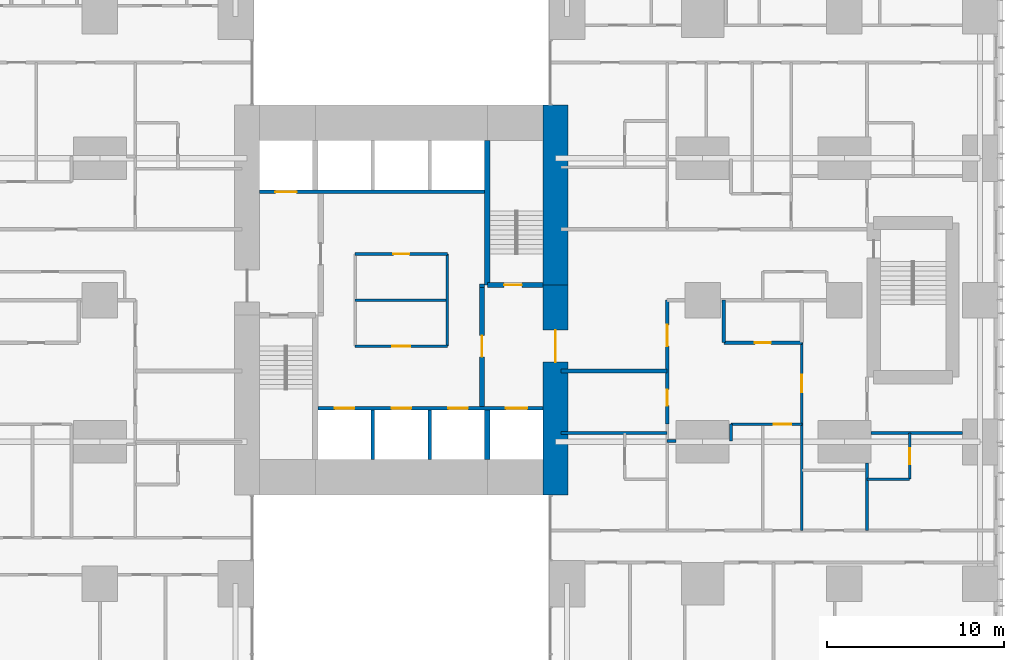
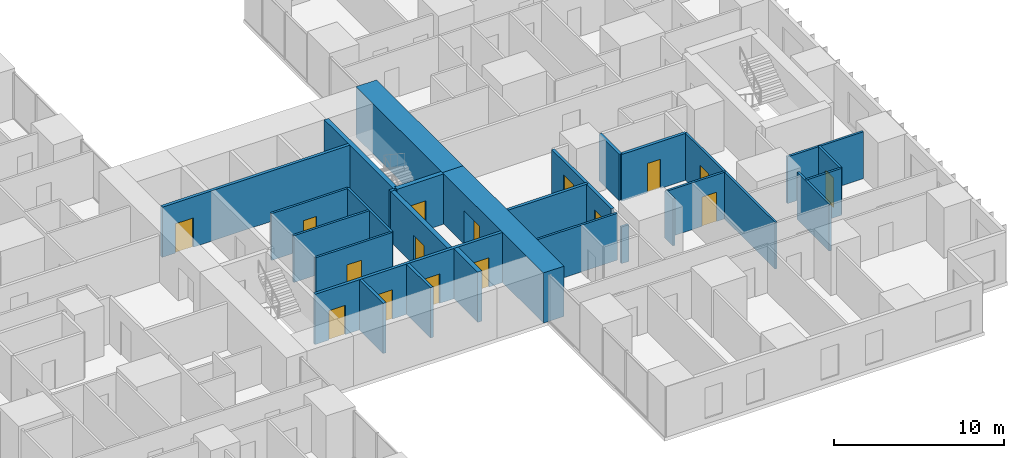
# One storey, part 15 of 20: 28 walls, 16 doors, 16 openings.
"""IFC4 building model written with IfcOpenShell, lengths in metres."""

import ifcopenshell
import ifcopenshell.guid

model = None  # the IFC model being written
_history = None  # IfcOwnerHistory: only IFC2X3 demands one
_inside = {}  # id of a spatial element -> (the spatial element, [elements in it])
_under = {}  # id of a project, library or spatial element -> (it, [spatial elements below it])
_declared = {}  # id of a project -> (the project, [libraries it declares])
_typed = {}  # id of a type object -> (the type object, [elements of that type])
_made_of = {}  # id of a material, layer set ... -> (it, [elements and type objects made of it])


def new_model(schema):
    """Start an empty IFC model of exactly this schema.

    Asked for "IFC4X3", IfcOpenShell would pick the latest addendum, in which some entities
    have other attributes; the version numbers below select the first issue.
    IFC2X3 requires an IfcOwnerHistory on every rooted entity: one is made here for all.
    """
    global model, _history
    if schema == "IFC4X3":
        model = ifcopenshell.file(schema_version=(4, 3, 0, 0))
    else:
        model = ifcopenshell.file(schema=schema)
    _inside.clear()
    _under.clear()
    _declared.clear()
    _typed.clear()
    _made_of.clear()
    _history = None
    if model.schema == "IFC2X3":
        org = make("IfcOrganization", Name="unknown")
        user = make(
            "IfcPersonAndOrganization",
            ThePerson=make("IfcPerson", FamilyName="unknown"),
            TheOrganization=org,
        )
        app = make(
            "IfcApplication",
            ApplicationDeveloper=org,
            Version="unknown",
            ApplicationFullName="unknown",
            ApplicationIdentifier="unknown",
        )
        _history = make(
            "IfcOwnerHistory",
            OwningUser=user,
            OwningApplication=app,
            ChangeAction="ADDED",
            CreationDate=0,
        )
    return model


def make(cls, **values):
    """One entity of the class cls with the attributes given. An attribute that is None is left unset."""
    return model.create_entity(
        cls, **{name: value for name, value in values.items() if value is not None}
    )


def rooted(cls, **values):
    """An entity with a GlobalId (a new one), such as an element, a storey or a relation."""
    return make(cls, GlobalId=ifcopenshell.guid.new(), OwnerHistory=_history, **values)


def si_unit(unit_type, name, prefix=None):
    """IfcSIUnit, for example si_unit("LENGTHUNIT", "METRE", prefix="MILLI")."""
    return make("IfcSIUnit", UnitType=unit_type, Prefix=prefix, Name=name)


def assignment(units):
    """IfcUnitAssignment: the units of a project."""
    return None if units is None else make("IfcUnitAssignment", Units=units)


def point(xyz):
    """IfcCartesianPoint."""
    return None if xyz is None else make("IfcCartesianPoint", Coordinates=xyz)


def direction(xyz):
    """IfcDirection."""
    return None if xyz is None else make("IfcDirection", DirectionRatios=xyz)


def frame(location, z_axis=None, x_axis=None):
    """IfcAxis2Placement3D, a coordinate frame: its origin and axes. An axis left out is left unset."""
    return make(
        "IfcAxis2Placement3D",
        Location=point(location),
        Axis=direction(z_axis),
        RefDirection=direction(x_axis),
    )


def frame_2d(location, x_axis=None):
    """IfcAxis2Placement2D, a coordinate frame in the plane: its origin and x axis."""
    return make(
        "IfcAxis2Placement2D", Location=point(location), RefDirection=direction(x_axis)
    )


def origin():
    """The frame at (0, 0, 0) with its axes left unset."""
    return frame((0.0, 0.0, 0.0))


def place(relative_to, where):
    """IfcLocalPlacement: puts the frame where relative to a parent placement (None: the world)."""
    return make(
        "IfcLocalPlacement", PlacementRelTo=relative_to, RelativePlacement=where
    )


def context(
    kind, dimensions, precision=None, world=None, true_north=None, identifier=None
):
    """IfcGeometricRepresentationContext, for example the 3D "Model" context."""
    return make(
        "IfcGeometricRepresentationContext",
        ContextIdentifier=identifier,
        ContextType=kind,
        CoordinateSpaceDimension=dimensions,
        Precision=precision,
        WorldCoordinateSystem=world,
        TrueNorth=true_north,
    )


def subcontext(parent, identifier, kind, view, scale=None):
    """IfcGeometricRepresentationSubContext, for example "Body" below "Model"."""
    return make(
        "IfcGeometricRepresentationSubContext",
        ContextIdentifier=identifier,
        ContextType=kind,
        ParentContext=parent,
        TargetScale=scale,
        TargetView=view,
    )


def project(units=None, contexts=None):
    """IfcProject with its units and contexts."""
    return rooted(
        "IfcProject",
        Name="project",
        RepresentationContexts=contexts,
        UnitsInContext=assignment(units),
    )


def spatial(cls, under=None, at=None, **own):
    """A site, building, storey or space (cls), placed at a placement, below another one or the project."""
    s = rooted(cls, ObjectPlacement=at, **own)
    if under is not None:
        _under.setdefault(under.id(), (under, []))[1].append(s)
    return s


def profile(cls, at=None, kind="AREA", **sizes):
    """A parametric profile (cls). Its sizes go by their IFC names, for example OverallWidth=200.0."""
    return make(cls, ProfileType=kind, Position=at, **sizes)


def rectangle(**sizes):
    """IfcRectangleProfileDef."""
    return profile("IfcRectangleProfileDef", **sizes)


def extrude(swept, where, along, depth):
    """IfcExtrudedAreaSolid: the profile swept, set in the frame where, extruded along a direction by depth."""
    return make(
        "IfcExtrudedAreaSolid",
        SweptArea=swept,
        Position=where,
        ExtrudedDirection=direction(along),
        Depth=depth,
    )


def shape(context_of_items, identifier, shape_type, items):
    """IfcShapeRepresentation: the items that make up one representation, for example the "Body"."""
    return make(
        "IfcShapeRepresentation",
        ContextOfItems=context_of_items,
        RepresentationIdentifier=identifier,
        RepresentationType=shape_type,
        Items=items,
    )


def material(Name=None, Category=None):
    """IfcMaterial."""
    return make("IfcMaterial", Name=Name, Category=Category)


def layer(
    of_material, thickness, ventilated=None, Name=None, Category=None, Priority=None
):
    """IfcMaterialLayer: one layer of a wall or slab, of a material (None: an air gap)."""
    return make(
        "IfcMaterialLayer",
        Material=of_material,
        LayerThickness=thickness,
        IsVentilated=ventilated,
        Name=Name,
        Category=Category,
        Priority=Priority,
    )


def layer_set(layers, Name=None):
    """IfcMaterialLayerSet."""
    return make("IfcMaterialLayerSet", MaterialLayers=layers, LayerSetName=Name)


def made_of(thing, what):
    """Note that an element or type object is made of a material, layer set ...; save() writes the relation."""
    if what is not None:
        _made_of.setdefault(what.id(), (what, []))[1].append(thing)
    return thing


def type_object(cls, material=None, **own):
    """A type object (cls), such as IfcWallType, which elements share."""
    return made_of(rooted(cls, **own), material)


def element(
    cls,
    number,
    at=None,
    inside=None,
    cuts=None,
    type_object=None,
    material=None,
    context=None,
    identifier="Body",
    shape_type=None,
    held_by="IfcProductDefinitionShape",
    body=None,
    shapes=None,
    **own,
):
    """One element of the class cls, such as IfcWall. Its Tag is "e" and its number.

    at: its placement. inside: the storey or other place that contains it. cuts: it is an
    opening in that element (IfcRelVoidsElement). A single representation is given by context,
    identifier, shape_type and body (its items); several are given by shapes. held_by: the class
    of the entity that holds the representations. save() writes the other relations.
    """
    e = rooted(cls, Tag="e%d" % number, ObjectPlacement=at, **own)
    if body is not None:
        shapes = [shape(context, identifier, shape_type, body)]
    if shapes is not None:
        e.Representation = make(held_by, Representations=shapes)
    if inside is not None:
        _inside.setdefault(inside.id(), (inside, []))[1].append(e)
    if cuts is not None:
        rooted(
            "IfcRelVoidsElement", RelatingBuildingElement=cuts, RelatedOpeningElement=e
        )
    if type_object is not None:
        _typed.setdefault(type_object.id(), (type_object, []))[1].append(e)
    return made_of(e, material)


def fill(opening, filler):
    """IfcRelFillsElement: the door or window that sits in an opening."""
    return rooted(
        "IfcRelFillsElement",
        RelatingOpeningElement=opening,
        RelatedBuildingElement=filler,
    )


def aggregate(whole, parts):
    """IfcRelAggregates: a whole, such as a stair, and the parts it consists of."""
    return rooted("IfcRelAggregates", RelatingObject=whole, RelatedObjects=parts)


def save(model, path):
    """Write the relations noted so far, then the file.

    IfcRelAggregates (storeys below a building ...), IfcRelContainedInSpatialStructure (elements
    in a storey), IfcRelDefinesByType, IfcRelAssociatesMaterial and IfcRelDeclares: one each for
    every whole, place, type object, material and project.
    """
    for whole, parts in _under.values():
        aggregate(whole, parts)
    for where, things in _inside.values():
        rooted(
            "IfcRelContainedInSpatialStructure",
            RelatedElements=things,
            RelatingStructure=where,
        )
    for kind, things in _typed.values():
        rooted("IfcRelDefinesByType", RelatedObjects=things, RelatingType=kind)
    for what, things in _made_of.values():
        rooted("IfcRelAssociatesMaterial", RelatedObjects=things, RelatingMaterial=what)
    for by, libraries in _declared.values():
        rooted("IfcRelDeclares", RelatingContext=by, RelatedDefinitions=libraries)
    model.write(path)


model = new_model("IFC4")

# Units and contexts
model_context = context("Model", 3, precision=1e-05, world=origin(), true_north=direction((0.0, 1.0)))
body_context = subcontext(model_context, "Body", "Model", "MODEL_VIEW")
ifc_project = project(units=[si_unit("LENGTHUNIT", "METRE"), si_unit("AREAUNIT", "SQUARE_METRE"), si_unit("VOLUMEUNIT", "CUBIC_METRE"), si_unit("PLANEANGLEUNIT", "RADIAN"), si_unit("MASSUNIT", "GRAM", prefix="KILO")], contexts=[model_context])

# Site, building, storey
site_placement = place(None, origin())
site = spatial("IfcSite", under=ifc_project, at=site_placement, CompositionType="ELEMENT")
building_placement = place(site_placement, origin())
building = spatial("IfcBuilding", under=site, at=building_placement, Name="Cleftline Residences", CompositionType="ELEMENT")
storey_placement = place(building_placement, frame((0.0, 0.0, 117.800048828125)))
storey = spatial("IfcBuildingStorey", under=building, at=storey_placement, Name="L30", CompositionType="ELEMENT", Elevation=117.800048828125)

# Wall, opening, door
ifc_material_1 = material(Name="Concrete B70", Category="concrete")
ifc_layer_1 = layer(ifc_material_1, 1.39990234375)
ifc_layer_set_1 = layer_set([ifc_layer_1], Name="CORE WALL 1400")
wall_type_1 = type_object("IfcWallType", Name="CORE WALL 1400", PredefinedType="SHEAR", material=ifc_layer_set_1)
wall_1_placement = place(storey_placement, frame((41.699951171875, 13.0, 0.0), z_axis=(0.0, 0.0, 1.0), x_axis=(0.0, 1.0, 0.0)))
wall_1 = element("IfcWall", 1, at=wall_1_placement, inside=storey, type_object=wall_type_1, Name="Core wall E", PredefinedType="SHEAR", context=body_context, shape_type="SweptSolid", body=[
    extrude(rectangle(XDim=11.85009765625, YDim=1.39990234375, at=frame_2d((5.925048828125, 0.0))), origin(), (0.0, 0.0, 1.0), 3.599853515625),
])
opening_1_placement = place(wall_1_placement, frame((7.5, 0.0, 0.0)))
opening_1 = element("IfcOpeningElement", 2, at=opening_1_placement, cuts=wall_1, Name="Opening D7", PredefinedType="OPENING", context=body_context, shape_type="SweptSolid", body=[
    extrude(rectangle(XDim=1.800048828125, YDim=2.39990234375, at=frame_2d((0.89990234375, 1.199951171875))), frame((0.0, 0.7099609375, 0.0), z_axis=(0.0, -1.0, 0.0), x_axis=(1.0, 0.0, 0.0)), (0.0, 0.0, 1.0), 1.419921875),
])
ifc_material_2 = material(Name="Steel", Category="steel")
door_type_1 = type_object("IfcDoorType", Name="WING DOOR 1800X2400", OperationType="DOUBLE_DOOR_DOUBLE_SWING", PredefinedType="DOOR", material=ifc_material_2)
door_1_placement = place(opening_1_placement, origin())
door_1 = element("IfcDoor", 3, at=door_1_placement, inside=storey, type_object=door_type_1, Name="East wing door", OperationType="DOUBLE_DOOR_DOUBLE_SWING", OverallHeight=2.39990234375, OverallWidth=1.800048828125, PredefinedType="DOOR", context=body_context, shape_type="SweptSolid", body=[
    extrude(rectangle(XDim=1.800048828125, YDim=2.39990234375, at=frame_2d((0.89990234375, 1.199951171875))), frame((0.0, 0.02490234375, 0.0), z_axis=(0.0, -1.0, 0.0), x_axis=(1.0, 0.0, 0.0)), (0.0, 0.0, 1.0), 0.050048828125),
])
fill(opening_1, door_1)

# Walls
wall_2_placement = place(storey_placement, frame((41.699951171875, 24.85009765625, 0.0), z_axis=(0.0, 0.0, 1.0), x_axis=(0.0, 1.0, 0.0)))
element("IfcWall", 4, at=wall_2_placement, inside=storey, type_object=wall_type_1, Name="Core wall E1", PredefinedType="SHEAR", context=body_context, shape_type="SweptSolid", body=[
    extrude(rectangle(XDim=10.14990234375, YDim=1.39990234375, at=frame_2d((5.074951171875, 0.0))), origin(), (0.0, 0.0, 1.0), 3.599853515625),
])
ifc_material_3 = material(Name="Concrete B70", Category="concrete")
ifc_layer_2 = layer(ifc_material_3, 0.300048828125)
ifc_layer_set_2 = layer_set([ifc_layer_2], Name="CORE WALL 300")
wall_type_2 = type_object("IfcWallType", Name="CORE WALL 300", PredefinedType="SHEAR", material=ifc_layer_set_2)
wall_3_placement = place(storey_placement, frame((37.85009765625, 24.85009765625, 0.0), z_axis=(0.0, 0.0, 1.0), x_axis=(0.0, 1.0, 0.0)))
element("IfcWall", 5, at=wall_3_placement, inside=storey, type_object=wall_type_2, Name="Core wall SB-W", PredefinedType="SHEAR", context=body_context, shape_type="SweptSolid", body=[
    extrude(rectangle(XDim=8.14990234375, YDim=0.300048828125, at=frame_2d((4.074951171875, 0.0))), origin(), (0.0, 0.0, 1.0), 3.599853515625),
])

# Wall, opening, door
wall_4_placement = place(storey_placement, frame((37.85009765625, 24.85009765625, 0.0), z_axis=(0.0, 0.0, 1.0), x_axis=(1.0, 0.0, 0.0)))
wall_4 = element("IfcWall", 6, at=wall_4_placement, inside=storey, type_object=wall_type_2, Name="Core wall SB-S", PredefinedType="SHEAR", context=body_context, shape_type="SweptSolid", body=[
    extrude(rectangle(XDim=3.14990234375, YDim=0.300048828125, at=frame_2d((1.574951171875, 0.0))), origin(), (0.0, 0.0, 1.0), 3.599853515625),
])
opening_2_placement = place(wall_4_placement, frame((0.949951171875, 0.0, 0.0)))
opening_2 = element("IfcOpeningElement", 7, at=opening_2_placement, cuts=wall_4, Name="Opening D5", PredefinedType="OPENING", context=body_context, shape_type="SweptSolid", body=[
    extrude(rectangle(XDim=1.0, YDim=2.10009765625, at=frame_2d((0.5, 1.050048828125))), frame((0.0, 0.159912109375, 0.0), z_axis=(0.0, -1.0, 0.0), x_axis=(1.0, 0.0, 0.0)), (0.0, 0.0, 1.0), 0.320068359375),
])
ifc_material_4 = material(Name="Steel", Category="steel")
door_type_2 = type_object("IfcDoorType", Name="STAIR DOOR 1000X2100", OperationType="SINGLE_SWING_LEFT", PredefinedType="DOOR", material=ifc_material_4)
door_2_placement = place(opening_2_placement, origin())
door_2 = element("IfcDoor", 8, at=door_2_placement, inside=storey, type_object=door_type_2, Name="Stair B door", OperationType="SINGLE_SWING_RIGHT", OverallHeight=2.10009765625, OverallWidth=1.0, PredefinedType="DOOR", context=body_context, shape_type="SweptSolid", body=[
    extrude(rectangle(XDim=1.0, YDim=2.10009765625, at=frame_2d((0.5, 1.050048828125))), frame((0.0, 0.02490234375, 0.0), z_axis=(0.0, -1.0, 0.0), x_axis=(1.0, 0.0, 0.0)), (0.0, 0.0, 1.0), 0.050048828125),
])
fill(opening_2, door_2)

# Walls
wall_5_placement = place(storey_placement, frame((37.85009765625, 15.0, 0.0), z_axis=(0.0, 0.0, 1.0), x_axis=(0.0, 1.0, 0.0)))
element("IfcWall", 9, at=wall_5_placement, inside=storey, type_object=wall_type_2, Name="Lift shaft wall", PredefinedType="SHEAR", context=body_context, shape_type="SweptSolid", body=[
    extrude(rectangle(XDim=2.800048828125, YDim=0.300048828125, at=frame_2d((1.39990234375, 0.0))), origin(), (0.0, 0.0, 1.0), 3.599853515625),
])
ifc_material_5 = material(Name="Concrete blockwork, fire rated", Category="masonry")
ifc_layer_3 = layer(ifc_material_5, 0.199951171875)
ifc_layer_set_3 = layer_set([ifc_layer_3], Name="FIRE WALL 200")
wall_type_3 = type_object("IfcWallType", Name="FIRE WALL 200", PredefinedType="PARTITIONING", material=ifc_layer_set_3)
wall_6_placement = place(storey_placement, frame((42.0, 20.0, 0.0), z_axis=(0.0, 0.0, 1.0), x_axis=(1.0, 0.0, 0.0)))
element("IfcWall", 10, at=wall_6_placement, inside=storey, type_object=wall_type_3, Name="Fire separating wall", PredefinedType="PARTITIONING", context=body_context, shape_type="SweptSolid", body=[
    extrude(rectangle(XDim=6.0, YDim=0.199951171875, at=frame_2d((3.0, 0.0))), origin(), (0.0, 0.0, 1.0), 3.349853515625),
])

# Wall, opening, door
wall_7_placement = place(storey_placement, frame((51.199951171875, 21.60009765625, 0.0), z_axis=(0.0, 0.0, 1.0), x_axis=(1.0, 0.0, 0.0)))
wall_7 = element("IfcWall", 11, at=wall_7_placement, inside=storey, type_object=wall_type_3, Name="Fire separating wall", PredefinedType="PARTITIONING", context=body_context, shape_type="SweptSolid", body=[
    extrude(rectangle(XDim=4.400146484375, YDim=0.199951171875, at=frame_2d((2.2001953125, 0.0))), origin(), (0.0, 0.0, 1.0), 3.349853515625),
])
opening_3_placement = place(wall_7_placement, frame((1.75, 0.0, 0.0)))
opening_3 = element("IfcOpeningElement", 12, at=opening_3_placement, cuts=wall_7, Name="Opening D1F30", PredefinedType="OPENING", context=body_context, shape_type="SweptSolid", body=[
    extrude(rectangle(XDim=0.89990234375, YDim=2.10009765625, at=frame_2d((0.449951171875, 1.050048828125))), frame((0.0, 0.10986328125, 0.0), z_axis=(0.0, -1.0, 0.0), x_axis=(1.0, 0.0, 0.0)), (0.0, 0.0, 1.0), 0.219970703125),
])
ifc_material_6 = material(Name="Timber veneer on solid core", Category="wood")
door_type_3 = type_object("IfcDoorType", Name="DOOR 900X2100 EI 30", OperationType="SINGLE_SWING_LEFT", PredefinedType="DOOR", material=ifc_material_6)
door_3_placement = place(opening_3_placement, origin())
door_3 = element("IfcDoor", 13, at=door_3_placement, inside=storey, type_object=door_type_3, Name="Door to cloakroom wc", OperationType="SINGLE_SWING_LEFT", OverallHeight=2.10009765625, OverallWidth=0.89990234375, PredefinedType="DOOR", context=body_context, shape_type="SweptSolid", body=[
    extrude(rectangle(XDim=0.89990234375, YDim=2.10009765625, at=frame_2d((0.449951171875, 1.050048828125))), frame((0.0, 0.02490234375, 0.0), z_axis=(0.0, -1.0, 0.0), x_axis=(1.0, 0.0, 0.0)), (0.0, 0.0, 1.0), 0.050048828125),
])
fill(opening_3, door_3)

# Wall, openings, doors
wall_8_placement = place(storey_placement, frame((48.0, 17.0, 0.0), z_axis=(0.0, 0.0, 1.0), x_axis=(0.0, 1.0, 0.0)))
wall_8 = element("IfcWall", 14, at=wall_8_placement, inside=storey, type_object=wall_type_3, Name="Fire separating wall", PredefinedType="PARTITIONING", context=body_context, shape_type="SweptSolid", body=[
    extrude(rectangle(XDim=7.0, YDim=0.199951171875, at=frame_2d((3.5, 0.0))), origin(), (0.0, 0.0, 1.0), 3.349853515625),
])
opening_4_placement = place(wall_8_placement, frame((4.39990234375, 0.0, 0.0)))
opening_4 = element("IfcOpeningElement", 15, at=opening_4_placement, cuts=wall_8, Name="Opening D4", PredefinedType="OPENING", context=body_context, shape_type="SweptSolid", body=[
    extrude(rectangle(XDim=1.199951171875, YDim=2.39990234375, at=frame_2d((0.60009765625, 1.199951171875))), frame((0.0, 0.10986328125, 0.0), z_axis=(0.0, -1.0, 0.0), x_axis=(1.0, 0.0, 0.0)), (0.0, 0.0, 1.0), 0.219970703125),
])
opening_5_placement = place(wall_8_placement, frame((1.050048828125, 0.0, 0.0)))
opening_5 = element("IfcOpeningElement", 16, at=opening_5_placement, cuts=wall_8, Name="Opening D1F30", PredefinedType="OPENING", context=body_context, shape_type="SweptSolid", body=[
    extrude(rectangle(XDim=0.89990234375, YDim=2.10009765625, at=frame_2d((0.449951171875, 1.050048828125))), frame((0.0, 0.10986328125, 0.0), z_axis=(0.0, -1.0, 0.0), x_axis=(1.0, 0.0, 0.0)), (0.0, 0.0, 1.0), 0.219970703125),
])
ifc_material_7 = material(Name="Timber veneer on solid core", Category="wood")
door_type_4 = type_object("IfcDoorType", Name="APARTMENT ENTRANCE DOOR 1200X2400", OperationType="SINGLE_SWING_RIGHT", PredefinedType="DOOR", material=ifc_material_7)
door_4_placement = place(opening_4_placement, origin())
door_4 = element("IfcDoor", 17, at=door_4_placement, inside=storey, type_object=door_type_4, Name="Door to residence entrance foyer", OperationType="SINGLE_SWING_LEFT", OverallHeight=2.39990234375, OverallWidth=1.199951171875, PredefinedType="DOOR", context=body_context, shape_type="SweptSolid", body=[
    extrude(rectangle(XDim=1.199951171875, YDim=2.39990234375, at=frame_2d((0.60009765625, 1.199951171875))), frame((0.0, 0.02490234375, 0.0), z_axis=(0.0, -1.0, 0.0), x_axis=(1.0, 0.0, 0.0)), (0.0, 0.0, 1.0), 0.050048828125),
])
fill(opening_4, door_4)
door_5_placement = place(opening_5_placement, origin())
door_5 = element("IfcDoor", 18, at=door_5_placement, inside=storey, type_object=door_type_3, Name="Door to laundry", OperationType="SINGLE_SWING_RIGHT", OverallHeight=2.10009765625, OverallWidth=0.89990234375, PredefinedType="DOOR", context=body_context, shape_type="SweptSolid", body=[
    extrude(rectangle(XDim=0.89990234375, YDim=2.10009765625, at=frame_2d((0.449951171875, 1.050048828125))), frame((0.0, 0.02490234375, 0.0), z_axis=(0.0, -1.0, 0.0), x_axis=(1.0, 0.0, 0.0)), (0.0, 0.0, 1.0), 0.050048828125),
])
fill(opening_5, door_5)

# Walls
wall_9_placement = place(storey_placement, frame((51.199951171875, 21.60009765625, 0.0), z_axis=(0.0, 0.0, 1.0), x_axis=(0.0, 1.0, 0.0)))
element("IfcWall", 19, at=wall_9_placement, inside=storey, type_object=wall_type_3, Name="Fire separating wall", PredefinedType="PARTITIONING", context=body_context, shape_type="SweptSolid", body=[
    extrude(rectangle(XDim=2.39990234375, YDim=0.199951171875, at=frame_2d((1.199951171875, 0.0))), origin(), (0.0, 0.0, 1.0), 3.349853515625),
])
wall_10_placement = place(storey_placement, frame((37.39990234375, 24.800048828125, 0.0), z_axis=(0.0, 0.0, 1.0), x_axis=(1.0, 0.0, 0.0)))
element("IfcWall", 20, at=wall_10_placement, inside=storey, type_object=wall_type_3, Name="Fire separating wall", PredefinedType="PARTITIONING", context=body_context, shape_type="SweptSolid", body=[
    extrude(rectangle(XDim=0.300048828125, YDim=0.199951171875, at=frame_2d((0.14990234375, 0.0))), origin(), (0.0, 0.0, 1.0), 3.599853515625),
])
ifc_material_8 = material(Name="Gypsum board on steel studs", Category="steel")
ifc_layer_4 = layer(ifc_material_8, 0.14990234375)
ifc_layer_set_4 = layer_set([ifc_layer_4], Name="PARTITION 150")
wall_type_4 = type_object("IfcWallType", Name="PARTITION 150", PredefinedType="PARTITIONING", material=ifc_layer_set_4)
wall_11_placement = place(storey_placement, frame((59.27490234375, 13.89990234375, 0.0), z_axis=(0.0, 0.0, 1.0), x_axis=(1.0, 0.0, 0.0)))
element("IfcWall", 21, at=wall_11_placement, inside=storey, type_object=wall_type_4, Name="Partition", PredefinedType="PARTITIONING", context=body_context, shape_type="SweptSolid", body=[
    extrude(rectangle(XDim=2.400146484375, YDim=0.14990234375, at=frame_2d((1.2001953125, 0.0))), origin(), (0.0, 0.0, 1.0), 3.349853515625),
])
wall_12_placement = place(storey_placement, frame((48.0, 16.050048828125, 0.0), z_axis=(0.0, 0.0, 1.0), x_axis=(1.0, 0.0, 0.0)))
element("IfcWall", 22, at=wall_12_placement, inside=storey, type_object=wall_type_4, Name="Partition", PredefinedType="PARTITIONING", context=body_context, shape_type="SweptSolid", body=[
    extrude(rectangle(XDim=0.5, YDim=0.14990234375, at=frame_2d((0.25, 0.0))), origin(), (0.0, 0.0, 1.0), 2.634033203125),
])
wall_13_placement = place(storey_placement, frame((42.0, 16.5, 0.0), z_axis=(0.0, 0.0, 1.0), x_axis=(1.0, 0.0, 0.0)))
element("IfcWall", 23, at=wall_13_placement, inside=storey, type_object=wall_type_4, Name="Partition", PredefinedType="PARTITIONING", context=body_context, shape_type="SweptSolid", body=[
    extrude(rectangle(XDim=6.0, YDim=0.14990234375, at=frame_2d((3.0, 0.0))), origin(), (0.0, 0.0, 1.0), 3.349853515625),
])
wall_14_placement = place(storey_placement, frame((59.5, 16.5, 0.0), z_axis=(0.0, 0.0, 1.0), x_axis=(1.0, 0.0, 0.0)))
element("IfcWall", 24, at=wall_14_placement, inside=storey, type_object=wall_type_4, Name="Partition", PredefinedType="PARTITIONING", context=body_context, shape_type="SweptSolid", body=[
    extrude(rectangle(XDim=5.14990234375, YDim=0.14990234375, at=frame_2d((2.574951171875, 0.0))), origin(), (0.0, 0.0, 1.0), 3.349853515625),
])

# Wall, opening, door
wall_15_placement = place(storey_placement, frame((51.60009765625, 17.0, 0.0), z_axis=(0.0, 0.0, 1.0), x_axis=(1.0, 0.0, 0.0)))
wall_15 = element("IfcWall", 25, at=wall_15_placement, inside=storey, type_object=wall_type_4, Name="Partition", PredefinedType="PARTITIONING", context=body_context, shape_type="SweptSolid", body=[
    extrude(rectangle(XDim=4.0, YDim=0.14990234375, at=frame_2d((2.0, 0.0))), origin(), (0.0, 0.0, 1.0), 3.349853515625),
])
opening_6_placement = place(wall_15_placement, frame((2.39990234375, 0.0, 0.0)))
opening_6 = element("IfcOpeningElement", 26, at=opening_6_placement, cuts=wall_15, Name="Opening D2", PredefinedType="OPENING", context=body_context, shape_type="SweptSolid", body=[
    extrude(rectangle(XDim=1.0, YDim=2.10009765625, at=frame_2d((0.5, 1.050048828125))), frame((0.0, 0.0849609375, 0.0), z_axis=(0.0, -1.0, 0.0), x_axis=(1.0, 0.0, 0.0)), (0.0, 0.0, 1.0), 0.169921875),
])
ifc_material_9 = material(Name="Timber veneer on solid core", Category="wood")
door_type_5 = type_object("IfcDoorType", Name="DOOR 1000X2100", OperationType="SINGLE_SWING_LEFT", PredefinedType="DOOR", material=ifc_material_9)
door_6_placement = place(opening_6_placement, origin())
door_6 = element("IfcDoor", 27, at=door_6_placement, inside=storey, type_object=door_type_5, Name="Door to residence passage", OperationType="SINGLE_SWING_LEFT", OverallHeight=2.10009765625, OverallWidth=1.0, PredefinedType="DOOR", context=body_context, shape_type="SweptSolid", body=[
    extrude(rectangle(XDim=1.0, YDim=2.10009765625, at=frame_2d((0.5, 1.050048828125))), frame((0.0, 0.02490234375, 0.0), z_axis=(0.0, -1.0, 0.0), x_axis=(1.0, 0.0, 0.0)), (0.0, 0.0, 1.0), 0.050048828125),
])
fill(opening_6, door_6)

# Wall
wall_16_placement = place(storey_placement, frame((51.60009765625, 16.050048828125, 0.0), z_axis=(0.0, 0.0, 1.0), x_axis=(0.0, 1.0, 0.0)))
element("IfcWall", 28, at=wall_16_placement, inside=storey, type_object=wall_type_4, Name="Partition", PredefinedType="PARTITIONING", context=body_context, shape_type="SweptSolid", body=[
    extrude(rectangle(XDim=0.949951171875, YDim=0.14990234375, at=frame_2d((0.47509765625, 0.0))), origin(), (0.0, 0.0, 1.0), 3.349853515625),
])

# Wall, opening, door
wall_17_placement = place(storey_placement, frame((55.60009765625, 11.0, 0.0), z_axis=(0.0, 0.0, 1.0), x_axis=(0.0, 1.0, 0.0)))
wall_17 = element("IfcWall", 29, at=wall_17_placement, inside=storey, type_object=wall_type_4, Name="Partition", PredefinedType="PARTITIONING", context=body_context, shape_type="SweptSolid", body=[
    extrude(rectangle(XDim=10.60009765625, YDim=0.14990234375, at=frame_2d((5.300048828125, 0.0))), origin(), (0.0, 0.0, 1.0), 3.349853515625),
])
opening_7_placement = place(wall_17_placement, frame((7.800048828125, 0.0, 0.0)))
opening_7 = element("IfcOpeningElement", 30, at=opening_7_placement, cuts=wall_17, Name="Opening D2F30", PredefinedType="OPENING", context=body_context, shape_type="SweptSolid", body=[
    extrude(rectangle(XDim=1.0, YDim=2.10009765625, at=frame_2d((0.5, 1.050048828125))), frame((0.0, 0.0849609375, 0.0), z_axis=(0.0, -1.0, 0.0), x_axis=(1.0, 0.0, 0.0)), (0.0, 0.0, 1.0), 0.169921875),
])
ifc_material_10 = material(Name="Timber veneer on solid core", Category="wood")
door_type_6 = type_object("IfcDoorType", Name="DOOR 1000X2100 EI 30", OperationType="SINGLE_SWING_LEFT", PredefinedType="DOOR", material=ifc_material_10)
door_7_placement = place(opening_7_placement, origin())
door_7 = element("IfcDoor", 31, at=door_7_placement, inside=storey, type_object=door_type_6, Name="Door to residence lobby", OperationType="SINGLE_SWING_LEFT", OverallHeight=2.10009765625, OverallWidth=1.0, PredefinedType="DOOR", context=body_context, shape_type="SweptSolid", body=[
    extrude(rectangle(XDim=1.0, YDim=2.10009765625, at=frame_2d((0.5, 1.050048828125))), frame((0.0, 0.02490234375, 0.0), z_axis=(0.0, -1.0, 0.0), x_axis=(1.0, 0.0, 0.0)), (0.0, 0.0, 1.0), 0.050048828125),
])
fill(opening_7, door_7)

# Wall
wall_18_placement = place(storey_placement, frame((59.27490234375, 11.0, 0.0), z_axis=(0.0, 0.0, 1.0), x_axis=(0.0, 1.0, 0.0)))
element("IfcWall", 32, at=wall_18_placement, inside=storey, type_object=wall_type_4, Name="Partition", PredefinedType="PARTITIONING", context=body_context, shape_type="SweptSolid", body=[
    extrude(rectangle(XDim=3.800048828125, YDim=0.14990234375, at=frame_2d((1.89990234375, 0.0))), origin(), (0.0, 0.0, 1.0), 3.349853515625),
])

# Wall, opening, door
wall_19_placement = place(storey_placement, frame((61.675048828125, 13.89990234375, 0.0), z_axis=(0.0, 0.0, 1.0), x_axis=(0.0, 1.0, 0.0)))
wall_19 = element("IfcWall", 33, at=wall_19_placement, inside=storey, type_object=wall_type_4, Name="Partition", PredefinedType="PARTITIONING", context=body_context, shape_type="SweptSolid", body=[
    extrude(rectangle(XDim=2.60009765625, YDim=0.14990234375, at=frame_2d((1.300048828125, 0.0))), origin(), (0.0, 0.0, 1.0), 3.349853515625),
])
opening_8_placement = place(wall_19_placement, frame((0.85009765625, 0.0, 0.0)))
opening_8 = element("IfcOpeningElement", 34, at=opening_8_placement, cuts=wall_19, Name="Opening D1", PredefinedType="OPENING", context=body_context, shape_type="SweptSolid", body=[
    extrude(rectangle(XDim=0.89990234375, YDim=2.10009765625, at=frame_2d((0.449951171875, 1.050048828125))), frame((0.0, 0.0849609375, 0.0), z_axis=(0.0, -1.0, 0.0), x_axis=(1.0, 0.0, 0.0)), (0.0, 0.0, 1.0), 0.169921875),
])
ifc_material_11 = material(Name="Timber veneer on solid core", Category="wood")
door_type_7 = type_object("IfcDoorType", Name="DOOR 900X2100", OperationType="SINGLE_SWING_LEFT", PredefinedType="DOOR", material=ifc_material_11)
door_8_placement = place(opening_8_placement, origin())
door_8 = element("IfcDoor", 35, at=door_8_placement, inside=storey, type_object=door_type_7, Name="Door to master bathroom", OperationType="SINGLE_SWING_LEFT", OverallHeight=2.10009765625, OverallWidth=0.89990234375, PredefinedType="DOOR", context=body_context, shape_type="SweptSolid", body=[
    extrude(rectangle(XDim=0.89990234375, YDim=2.10009765625, at=frame_2d((0.449951171875, 1.050048828125))), frame((0.0, 0.02490234375, 0.0), z_axis=(0.0, -1.0, 0.0), x_axis=(1.0, 0.0, 0.0)), (0.0, 0.0, 1.0), 0.050048828125),
])
fill(opening_8, door_8)

ifc_material_12 = material(Name="Fire-resisting gypsum board on steel studs", Category="steel")
ifc_layer_5 = layer(ifc_material_12, 0.14990234375)
ifc_layer_set_5 = layer_set([ifc_layer_5], Name="PARTITION 150 EI 60")
wall_type_5 = type_object("IfcWallType", Name="PARTITION 150 EI 60", PredefinedType="PARTITIONING", material=ifc_layer_set_5)
wall_20_placement = place(storey_placement, frame((30.39990234375, 21.39990234375, 0.0), z_axis=(0.0, 0.0, 1.0), x_axis=(1.0, 0.0, 0.0)))
wall_20 = element("IfcWall", 36, at=wall_20_placement, inside=storey, type_object=wall_type_5, Name="Core room partition", PredefinedType="PARTITIONING", context=body_context, shape_type="SweptSolid", body=[
    extrude(rectangle(XDim=5.2001953125, YDim=0.14990234375, at=frame_2d((2.60009765625, 0.0))), origin(), (0.0, 0.0, 1.0), 3.349853515625),
])
opening_9_placement = place(wall_20_placement, frame((2.10009765625, 0.0, 0.0)))
opening_9 = element("IfcOpeningElement", 37, at=opening_9_placement, cuts=wall_20, Name="Opening D2F60", PredefinedType="OPENING", context=body_context, shape_type="SweptSolid", body=[
    extrude(rectangle(XDim=1.0, YDim=2.10009765625, at=frame_2d((0.5, 1.050048828125))), frame((0.0, 0.0849609375, 0.0), z_axis=(0.0, -1.0, 0.0), x_axis=(1.0, 0.0, 0.0)), (0.0, 0.0, 1.0), 0.169921875),
])
ifc_material_13 = material(Name="Timber veneer on solid core", Category="wood")
door_type_8 = type_object("IfcDoorType", Name="DOOR 1000X2100 EI 60", OperationType="SINGLE_SWING_LEFT", PredefinedType="DOOR", material=ifc_material_13)
door_9_placement = place(opening_9_placement, origin())
door_9 = element("IfcDoor", 38, at=door_9_placement, inside=storey, type_object=door_type_8, Name="Door to electrical room", OperationType="SINGLE_SWING_LEFT", OverallHeight=2.10009765625, OverallWidth=1.0, PredefinedType="DOOR", context=body_context, shape_type="SweptSolid", body=[
    extrude(rectangle(XDim=1.0, YDim=2.10009765625, at=frame_2d((0.5, 1.050048828125))), frame((0.0, 0.02490234375, 0.0), z_axis=(0.0, -1.0, 0.0), x_axis=(1.0, 0.0, 0.0)), (0.0, 0.0, 1.0), 0.050048828125),
])
fill(opening_9, door_9)

wall_21_placement = place(storey_placement, frame((30.39990234375, 26.60009765625, 0.0), z_axis=(0.0, 0.0, 1.0), x_axis=(1.0, 0.0, 0.0)))
wall_21 = element("IfcWall", 39, at=wall_21_placement, inside=storey, type_object=wall_type_5, Name="Core room partition", PredefinedType="PARTITIONING", context=body_context, shape_type="SweptSolid", body=[
    extrude(rectangle(XDim=5.2001953125, YDim=0.14990234375, at=frame_2d((2.60009765625, 0.0))), origin(), (0.0, 0.0, 1.0), 3.349853515625),
])
opening_10_placement = place(wall_21_placement, frame((2.14990234375, 0.0, 0.0)))
opening_10 = element("IfcOpeningElement", 40, at=opening_10_placement, cuts=wall_21, Name="Opening D1F30", PredefinedType="OPENING", context=body_context, shape_type="SweptSolid", body=[
    extrude(rectangle(XDim=0.89990234375, YDim=2.10009765625, at=frame_2d((0.449951171875, 1.050048828125))), frame((0.0, 0.0849609375, 0.0), z_axis=(0.0, -1.0, 0.0), x_axis=(1.0, 0.0, 0.0)), (0.0, 0.0, 1.0), 0.169921875),
])
door_10_placement = place(opening_10_placement, origin())
door_10 = element("IfcDoor", 41, at=door_10_placement, inside=storey, type_object=door_type_3, Name="Door to maintenance store", OperationType="SINGLE_SWING_LEFT", OverallHeight=2.10009765625, OverallWidth=0.89990234375, PredefinedType="DOOR", context=body_context, shape_type="SweptSolid", body=[
    extrude(rectangle(XDim=0.89990234375, YDim=2.10009765625, at=frame_2d((0.449951171875, 1.050048828125))), frame((0.0, 0.02490234375, 0.0), z_axis=(0.0, -1.0, 0.0), x_axis=(1.0, 0.0, 0.0)), (0.0, 0.0, 1.0), 0.050048828125),
])
fill(opening_10, door_10)

# Walls
for number, where, z_axis, x_axis, name in (
    (42, (35.60009765625, 21.39990234375, 0.0), (0.0, 0.0, 1.0), (0.0, 1.0, 0.0), "Core room partition"),
    (43, (30.39990234375, 24.0, 0.0), (0.0, 0.0, 1.0), (1.0, 0.0, 0.0), "Core room partition"),
):
    element("IfcWall", number, at=place(storey_placement, frame(where, z_axis=z_axis, x_axis=x_axis)), inside=storey, type_object=wall_type_5, Name=name, PredefinedType="PARTITIONING", context=body_context, shape_type="SweptSolid", body=[
        extrude(rectangle(XDim=5.2001953125, YDim=0.14990234375, at=frame_2d((2.60009765625, 0.0))), origin(), (0.0, 0.0, 1.0), 3.349853515625),
    ])

# Wall, openings, doors
ifc_material_14 = material(Name="Concrete blockwork, fire rated", Category="masonry")
ifc_layer_6 = layer(ifc_material_14, 0.199951171875)
ifc_layer_set_6 = layer_set([ifc_layer_6], Name="SHAFT WALL 200")
wall_type_6 = type_object("IfcWallType", Name="SHAFT WALL 200", PredefinedType="PARTITIONING", material=ifc_layer_set_6)
wall_22_placement = place(storey_placement, frame((28.300048828125, 17.89990234375, 0.0), z_axis=(0.0, 0.0, 1.0), x_axis=(1.0, 0.0, 0.0)))
wall_22 = element("IfcWall", 44, at=wall_22_placement, inside=storey, type_object=wall_type_6, Name="Lift shaft wall", PredefinedType="PARTITIONING", context=body_context, shape_type="SweptSolid", body=[
    extrude(rectangle(XDim=12.699951171875, YDim=0.199951171875, at=frame_2d((6.35009765625, 0.0))), origin(), (0.0, 0.0, 1.0), 3.599853515625),
])
opening_11_placement = place(wall_22_placement, frame((0.949951171875, 0.0, 0.0)))
opening_11 = element("IfcOpeningElement", 45, at=opening_11_placement, cuts=wall_22, Name="Opening LD1", PredefinedType="OPENING", context=body_context, shape_type="SweptSolid", body=[
    extrude(rectangle(XDim=1.10009765625, YDim=2.10009765625, at=frame_2d((0.550048828125, 1.050048828125))), frame((0.0, 0.10986328125, 0.0), z_axis=(0.0, -1.0, 0.0), x_axis=(1.0, 0.0, 0.0)), (0.0, 0.0, 1.0), 0.219970703125),
])
opening_12_placement = place(wall_22_placement, frame((4.14990234375, 0.0, 0.0)))
opening_12 = element("IfcOpeningElement", 46, at=opening_12_placement, cuts=wall_22, Name="Opening LD1", PredefinedType="OPENING", context=body_context, shape_type="SweptSolid", body=[
    extrude(rectangle(XDim=1.10009765625, YDim=2.10009765625, at=frame_2d((0.550048828125, 1.050048828125))), frame((0.0, 0.10986328125, 0.0), z_axis=(0.0, -1.0, 0.0), x_axis=(1.0, 0.0, 0.0)), (0.0, 0.0, 1.0), 0.219970703125),
])
opening_13_placement = place(wall_22_placement, frame((7.35009765625, 0.0, 0.0)))
opening_13 = element("IfcOpeningElement", 47, at=opening_13_placement, cuts=wall_22, Name="Opening LD1", PredefinedType="OPENING", context=body_context, shape_type="SweptSolid", body=[
    extrude(rectangle(XDim=1.10009765625, YDim=2.10009765625, at=frame_2d((0.550048828125, 1.050048828125))), frame((0.0, 0.10986328125, 0.0), z_axis=(0.0, -1.0, 0.0), x_axis=(1.0, 0.0, 0.0)), (0.0, 0.0, 1.0), 0.219970703125),
])
opening_14_placement = place(wall_22_placement, frame((10.60009765625, 0.0, 0.0)))
opening_14 = element("IfcOpeningElement", 48, at=opening_14_placement, cuts=wall_22, Name="Opening LD2", PredefinedType="OPENING", context=body_context, shape_type="SweptSolid", body=[
    extrude(rectangle(XDim=1.199951171875, YDim=2.10009765625, at=frame_2d((0.60009765625, 1.050048828125))), frame((0.0, 0.10986328125, 0.0), z_axis=(0.0, -1.0, 0.0), x_axis=(1.0, 0.0, 0.0)), (0.0, 0.0, 1.0), 0.219970703125),
])
ifc_material_15 = material(Name="Steel", Category="steel")
door_type_9 = type_object("IfcDoorType", Name="FIREFIGHTING LIFT LANDING DOOR 1200X2100", OperationType="SLIDING_TO_LEFT", PredefinedType="DOOR", material=ifc_material_15)
door_11_placement = place(opening_14_placement, origin())
door_11 = element("IfcDoor", 49, at=door_11_placement, inside=storey, type_object=door_type_9, Name="Lift FL2 landing door", OperationType="SLIDING_TO_LEFT", OverallHeight=2.10009765625, OverallWidth=1.199951171875, PredefinedType="DOOR", context=body_context, shape_type="SweptSolid", body=[
    extrude(rectangle(XDim=1.199951171875, YDim=2.10009765625, at=frame_2d((0.60009765625, 1.050048828125))), frame((0.0, 0.02490234375, 0.0), z_axis=(0.0, -1.0, 0.0), x_axis=(1.0, 0.0, 0.0)), (0.0, 0.0, 1.0), 0.050048828125),
])
fill(opening_14, door_11)
ifc_material_16 = material(Name="Steel", Category="steel")
door_type_10 = type_object("IfcDoorType", Name="LIFT LANDING DOOR 1100X2100", OperationType="SLIDING_TO_LEFT", PredefinedType="DOOR", material=ifc_material_16)
door_12_placement = place(opening_11_placement, origin())
door_12 = element("IfcDoor", 50, at=door_12_placement, inside=storey, type_object=door_type_10, Name="Lift P1 landing door", OperationType="SLIDING_TO_LEFT", OverallHeight=2.10009765625, OverallWidth=1.10009765625, PredefinedType="DOOR", context=body_context, shape_type="SweptSolid", body=[
    extrude(rectangle(XDim=1.10009765625, YDim=2.10009765625, at=frame_2d((0.550048828125, 1.050048828125))), frame((0.0, 0.02490234375, 0.0), z_axis=(0.0, -1.0, 0.0), x_axis=(1.0, 0.0, 0.0)), (0.0, 0.0, 1.0), 0.050048828125),
])
fill(opening_11, door_12)
door_13_placement = place(opening_12_placement, origin())
door_13 = element("IfcDoor", 51, at=door_13_placement, inside=storey, type_object=door_type_10, Name="Lift P2 landing door", OperationType="SLIDING_TO_LEFT", OverallHeight=2.10009765625, OverallWidth=1.10009765625, PredefinedType="DOOR", context=body_context, shape_type="SweptSolid", body=[
    extrude(rectangle(XDim=1.10009765625, YDim=2.10009765625, at=frame_2d((0.550048828125, 1.050048828125))), frame((0.0, 0.02490234375, 0.0), z_axis=(0.0, -1.0, 0.0), x_axis=(1.0, 0.0, 0.0)), (0.0, 0.0, 1.0), 0.050048828125),
])
fill(opening_12, door_13)
door_14_placement = place(opening_13_placement, origin())
door_14 = element("IfcDoor", 52, at=door_14_placement, inside=storey, type_object=door_type_10, Name="Lift P3 landing door", OperationType="SLIDING_TO_LEFT", OverallHeight=2.10009765625, OverallWidth=1.10009765625, PredefinedType="DOOR", context=body_context, shape_type="SweptSolid", body=[
    extrude(rectangle(XDim=1.10009765625, YDim=2.10009765625, at=frame_2d((0.550048828125, 1.050048828125))), frame((0.0, 0.02490234375, 0.0), z_axis=(0.0, -1.0, 0.0), x_axis=(1.0, 0.0, 0.0)), (0.0, 0.0, 1.0), 0.050048828125),
])
fill(opening_13, door_14)

# Wall, opening, door
wall_23_placement = place(storey_placement, frame((25.0, 30.10009765625, 0.0), z_axis=(0.0, 0.0, 1.0), x_axis=(1.0, 0.0, 0.0)))
wall_23 = element("IfcWall", 53, at=wall_23_placement, inside=storey, type_object=wall_type_6, Name="Lift shaft wall", PredefinedType="PARTITIONING", context=body_context, shape_type="SweptSolid", body=[
    extrude(rectangle(XDim=12.699951171875, YDim=0.199951171875, at=frame_2d((6.35009765625, 0.0))), origin(), (0.0, 0.0, 1.0), 3.599853515625),
])
opening_15_placement = place(wall_23_placement, frame((0.89990234375, 0.0, 0.0)))
opening_15 = element("IfcOpeningElement", 54, at=opening_15_placement, cuts=wall_23, Name="Opening LD2", PredefinedType="OPENING", context=body_context, shape_type="SweptSolid", body=[
    extrude(rectangle(XDim=1.199951171875, YDim=2.10009765625, at=frame_2d((0.60009765625, 1.050048828125))), frame((0.0, 0.10986328125, 0.0), z_axis=(0.0, -1.0, 0.0), x_axis=(1.0, 0.0, 0.0)), (0.0, 0.0, 1.0), 0.219970703125),
])
door_15_placement = place(opening_15_placement, origin())
door_15 = element("IfcDoor", 55, at=door_15_placement, inside=storey, type_object=door_type_9, Name="Lift FL1 landing door", OperationType="SLIDING_TO_LEFT", OverallHeight=2.10009765625, OverallWidth=1.199951171875, PredefinedType="DOOR", context=body_context, shape_type="SweptSolid", body=[
    extrude(rectangle(XDim=1.199951171875, YDim=2.10009765625, at=frame_2d((0.60009765625, 1.050048828125))), frame((0.0, 0.02490234375, 0.0), z_axis=(0.0, -1.0, 0.0), x_axis=(1.0, 0.0, 0.0)), (0.0, 0.0, 1.0), 0.050048828125),
])
fill(opening_15, door_15)

# Walls
for number, where, z_axis, x_axis, name in (
    (56, (31.39990234375, 15.0, 0.0), (0.0, 0.0, 1.0), (0.0, 1.0, 0.0), "Lift shaft wall"),
    (57, (34.60009765625, 15.0, 0.0), (0.0, 0.0, 1.0), (0.0, 1.0, 0.0), "Lift shaft wall"),
):
    element("IfcWall", number, at=place(storey_placement, frame(where, z_axis=z_axis, x_axis=x_axis)), inside=storey, type_object=wall_type_6, Name=name, PredefinedType="PARTITIONING", context=body_context, shape_type="SweptSolid", body=[
        extrude(rectangle(XDim=2.800048828125, YDim=0.199951171875, at=frame_2d((1.39990234375, 0.0))), origin(), (0.0, 0.0, 1.0), 3.599853515625),
    ])

# Wall, opening, door
ifc_material_17 = material(Name="Concrete blockwork, fire rated", Category="masonry")
ifc_layer_7 = layer(ifc_material_17, 0.300048828125)
ifc_layer_set_7 = layer_set([ifc_layer_7], Name="STAIR LOBBY WALL 300")
wall_type_7 = type_object("IfcWallType", Name="STAIR LOBBY WALL 300", PredefinedType="PARTITIONING", material=ifc_layer_set_7)
wall_24_placement = place(storey_placement, frame((37.550048828125, 18.0, 0.0), z_axis=(0.0, 0.0, 1.0), x_axis=(0.0, 1.0, 0.0)))
wall_24 = element("IfcWall", 58, at=wall_24_placement, inside=storey, type_object=wall_type_7, Name="Stair and lobby wall FB-W", PredefinedType="PARTITIONING", context=body_context, shape_type="SweptSolid", body=[
    extrude(rectangle(XDim=6.699951171875, YDim=0.300048828125, at=frame_2d((3.35009765625, 0.0))), origin(), (0.0, 0.0, 1.0), 3.599853515625),
])
opening_16_placement = place(wall_24_placement, frame((2.800048828125, 0.0, 0.0)))
opening_16 = element("IfcOpeningElement", 59, at=opening_16_placement, cuts=wall_24, Name="Opening D6", PredefinedType="OPENING", context=body_context, shape_type="SweptSolid", body=[
    extrude(rectangle(XDim=1.199951171875, YDim=2.10009765625, at=frame_2d((0.60009765625, 1.050048828125))), frame((0.0, 0.159912109375, 0.0), z_axis=(0.0, -1.0, 0.0), x_axis=(1.0, 0.0, 0.0)), (0.0, 0.0, 1.0), 0.320068359375),
])
ifc_material_18 = material(Name="Steel", Category="steel")
door_type_11 = type_object("IfcDoorType", Name="LOBBY DOOR 1200X2100", OperationType="SINGLE_SWING_RIGHT", PredefinedType="DOOR", material=ifc_material_18)
door_16_placement = place(opening_16_placement, origin())
door_16 = element("IfcDoor", 60, at=door_16_placement, inside=storey, type_object=door_type_11, Name="Firefighting lobby B door", OperationType="SINGLE_SWING_LEFT", OverallHeight=2.10009765625, OverallWidth=1.199951171875, PredefinedType="DOOR", context=body_context, shape_type="SweptSolid", body=[
    extrude(rectangle(XDim=1.199951171875, YDim=2.10009765625, at=frame_2d((0.60009765625, 1.050048828125))), frame((0.0, 0.02490234375, 0.0), z_axis=(0.0, -1.0, 0.0), x_axis=(1.0, 0.0, 0.0)), (0.0, 0.0, 1.0), 0.050048828125),
])
fill(opening_16, door_16)

save(model, "model.ifc")
